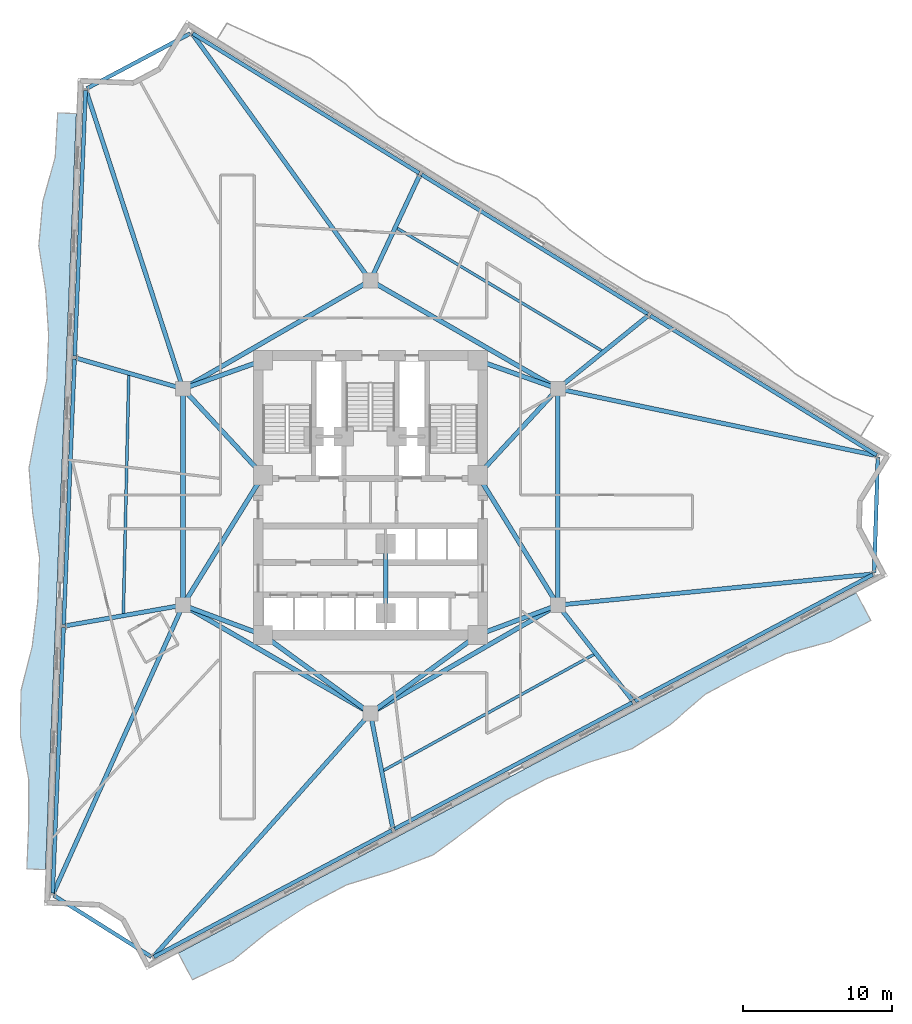
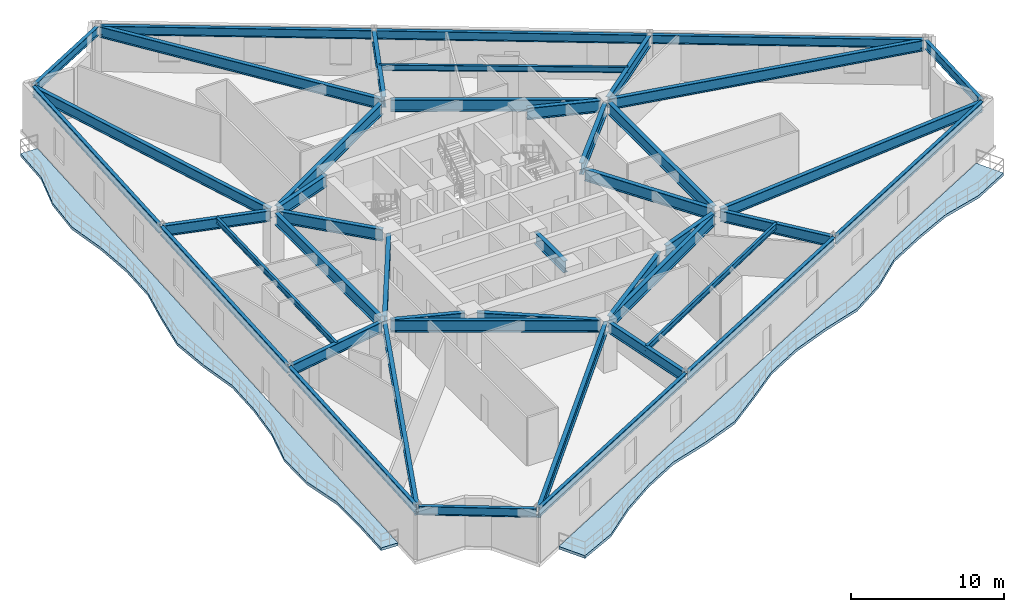
# One storey, part 3 of 12: 44 beams, 2 slabs.
"""IFC4 building model written with IfcOpenShell, lengths in metres."""

from ifc_helpers import new_model, si_unit, direction, frame, origin, origin_2d, place, context, subcontext, project, spatial, polyline, i_section, outline, extrude, material, layer, layer_set, material_profile, profile_set, type_object, element, save


model = new_model("IFC4")

# Units and contexts
model_context = context("Model", 3, precision=1e-05, world=origin(), true_north=direction((0.0, 1.0)))
body_context = subcontext(model_context, "Body", "Model", "MODEL_VIEW")
ifc_project = project(units=[si_unit("LENGTHUNIT", "METRE"), si_unit("AREAUNIT", "SQUARE_METRE"), si_unit("VOLUMEUNIT", "CUBIC_METRE"), si_unit("PLANEANGLEUNIT", "RADIAN"), si_unit("MASSUNIT", "GRAM", prefix="KILO")], contexts=[model_context])

# Site, building, storey
site_placement = place(None, origin())
site = spatial("IfcSite", under=ifc_project, at=site_placement, CompositionType="ELEMENT")
building_placement = place(site_placement, origin())
building = spatial("IfcBuilding", under=site, at=building_placement, Name="Apsidion Concourse Tower", CompositionType="ELEMENT")
storey_placement = place(building_placement, frame((0.0, 0.0, 165.5)))
storey = spatial("IfcBuildingStorey", under=building, at=storey_placement, Name="L38", CompositionType="ELEMENT", Elevation=165.5)

# Beams
ifc_material_1 = material(Name="Structural steel ASTM A992 Grade 50", Category="steel")
ifc_material_profile_1 = material_profile(ifc_material_1, i_section(OverallWidth=0.19091796875, OverallDepth=0.45703125, WebThickness=0.009033203125, FlangeThickness=0.014404296875, at=origin_2d()), Name="W18X50")
ifc_profile_set_1 = profile_set([ifc_material_profile_1], Name="Structural steel ASTM A992 Grade 50")
beam_type_1 = type_object("IfcBeamType", Name="BM-FL-W18", PredefinedType="BEAM", material=ifc_profile_set_1)
beam_1_placement = place(storey_placement, frame((-16.192138671875, 8.29248046875, 3.62158203125), z_axis=(-0.022697860677, -0.999742370374, 0.0), x_axis=(0.999742370374, -0.022697860677, 0.0)))
element("IfcBeam", 1, at=beam_1_placement, inside=storey, type_object=beam_type_1, Name="L38 Secondary Floor Beam SEC-F1", PredefinedType="BEAM", context=body_context, shape_type="SweptSolid", body=[
    extrude(i_section(OverallWidth=0.19091796875, OverallDepth=0.45703125, WebThickness=0.009033203125, FlangeThickness=0.014404296875, at=origin_2d()), origin(), (0.0, 0.0, 1.0), 16.25244140625),
])
beam_2_placement = place(storey_placement, frame((0.760009765625, -18.40087890625, 3.62158203125), z_axis=(0.87560616621, 0.483025715355, 0.0), x_axis=(-0.483025715355, 0.87560616621, 0.0)))
element("IfcBeam", 2, at=beam_2_placement, inside=storey, type_object=beam_type_1, Name="L38 Secondary Floor Beam SEC-F2", PredefinedType="BEAM", context=body_context, shape_type="SweptSolid", body=[
    extrude(i_section(OverallWidth=0.19091796875, OverallDepth=0.45703125, WebThickness=0.009033203125, FlangeThickness=0.014404296875, at=origin_2d()), origin(), (0.0, 0.0, 1.0), 16.376708984375),
])
beam_3_placement = place(storey_placement, frame((15.619384765625, 9.7265625, 3.62158203125), z_axis=(-0.85795243344, 0.513729132865, 0.0), x_axis=(-0.513729132865, -0.85795243344, 0.0)))
element("IfcBeam", 3, at=beam_3_placement, inside=storey, type_object=beam_type_1, Name="L38 Secondary Floor Beam SEC-F3", PredefinedType="BEAM", context=body_context, shape_type="SweptSolid", body=[
    extrude(i_section(OverallWidth=0.19091796875, OverallDepth=0.45703125, WebThickness=0.009033203125, FlangeThickness=0.014404296875, at=origin_2d()), origin(), (0.0, 0.0, 1.0), 16.25537109375),
])
ifc_material_profile_2 = material_profile(ifc_material_1, i_section(OverallWidth=0.2919921875, OverallDepth=0.85888671875, WebThickness=0.01708984375, FlangeThickness=0.031005859375, at=origin_2d()), Name="W33X169")
ifc_profile_set_2 = profile_set([ifc_material_profile_2], Name="Structural steel ASTM A992 Grade 50")
beam_type_2 = type_object("IfcBeamType", Name="BM-G-W33", PredefinedType="USERDEFINED", material=ifc_profile_set_2)
beam_4_placement = place(storey_placement, frame((-12.6279296875, 7.459228515625, 3.42041015625), z_axis=(-0.309075984528, 0.95103734721, 0.0), x_axis=(-0.95103734721, -0.309075984528, 0.0)))
element("IfcBeam", 4, at=beam_4_placement, inside=storey, type_object=beam_type_2, Name="L38 Radial Floor Girder RAD-01", ObjectType="GIRDER", PredefinedType="USERDEFINED", context=body_context, shape_type="SweptSolid", body=[
    extrude(i_section(OverallWidth=0.2919921875, OverallDepth=0.85888671875, WebThickness=0.01708984375, FlangeThickness=0.031005859375, at=origin_2d()), origin(), (0.0, 0.0, 1.0), 20.794921875),
])
beam_5_placement = place(storey_placement, frame((-12.771484375, 7.310791015625, 3.42041015625), z_axis=(-0.961194838859, 0.275870407531, 0.0), x_axis=(-0.275870407531, -0.961194838859, 0.0)))
element("IfcBeam", 5, at=beam_5_placement, inside=storey, type_object=beam_type_2, Name="L38 Radial Floor Girder RAD-02", ObjectType="GIRDER", PredefinedType="USERDEFINED", context=body_context, shape_type="SweptSolid", body=[
    extrude(i_section(OverallWidth=0.2919921875, OverallDepth=0.85888671875, WebThickness=0.01708984375, FlangeThickness=0.031005859375, at=origin_2d()), origin(), (0.0, 0.0, 1.0), 7.2373046875),
])
beam_6_placement = place(storey_placement, frame((-12.776611328125, -7.2880859375, 3.42041015625), z_axis=(-0.9848005578, -0.173688978798, 0.0), x_axis=(0.173688978798, -0.9848005578, 0.0)))
element("IfcBeam", 6, at=beam_6_placement, inside=storey, type_object=beam_type_2, Name="L38 Radial Floor Girder RAD-03", ObjectType="GIRDER", PredefinedType="USERDEFINED", context=body_context, shape_type="SweptSolid", body=[
    extrude(i_section(OverallWidth=0.2919921875, OverallDepth=0.85888671875, WebThickness=0.01708984375, FlangeThickness=0.031005859375, at=origin_2d()), origin(), (0.0, 0.0, 1.0), 7.805419921875),
])
beam_7_placement = place(storey_placement, frame((-12.650390625, -7.45068359375, 3.42041015625), z_axis=(-0.410615485001, -0.911808600243, 0.0), x_axis=(0.911808600243, -0.410615485001, 0.0)))
element("IfcBeam", 7, at=beam_7_placement, inside=storey, type_object=beam_type_2, Name="L38 Radial Floor Girder RAD-04", ObjectType="GIRDER", PredefinedType="USERDEFINED", context=body_context, shape_type="SweptSolid", body=[
    extrude(i_section(OverallWidth=0.2919921875, OverallDepth=0.85888671875, WebThickness=0.01708984375, FlangeThickness=0.031005859375, at=origin_2d()), origin(), (0.0, 0.0, 1.0), 20.964599609375),
])
beam_8_placement = place(storey_placement, frame((-0.146484375, -14.664306640625, 3.42041015625), z_axis=(-0.665534428073, -0.746367151642, 0.0), x_axis=(0.746367151642, -0.665534428073, 0.0)))
element("IfcBeam", 8, at=beam_8_placement, inside=storey, type_object=beam_type_2, Name="L38 Radial Floor Girder RAD-05", ObjectType="GIRDER", PredefinedType="USERDEFINED", context=body_context, shape_type="SweptSolid", body=[
    extrude(i_section(OverallWidth=0.2919921875, OverallDepth=0.85888671875, WebThickness=0.01708984375, FlangeThickness=0.031005859375, at=origin_2d()), origin(), (0.0, 0.0, 1.0), 21.616455078125),
])
beam_9_placement = place(storey_placement, frame((0.0419921875, -14.7158203125, 3.42041015625), z_axis=(0.191214845848, -0.981548207032, 0.0), x_axis=(0.981548207032, 0.191214845848, 0.0)))
element("IfcBeam", 9, at=beam_9_placement, inside=storey, type_object=beam_type_2, Name="L38 Radial Floor Girder RAD-06", ObjectType="GIRDER", PredefinedType="USERDEFINED", context=body_context, shape_type="SweptSolid", body=[
    extrude(i_section(OverallWidth=0.2919921875, OverallDepth=0.85888671875, WebThickness=0.01708984375, FlangeThickness=0.031005859375, at=origin_2d()), origin(), (0.0, 0.0, 1.0), 7.62890625),
])
beam_10_placement = place(storey_placement, frame((12.69580078125, -7.423095703125, 3.42041015625), z_axis=(0.616838796002, -0.787089511902, 0.0), x_axis=(0.787089511902, 0.616838796002, 0.0)))
element("IfcBeam", 10, at=beam_10_placement, inside=storey, type_object=beam_type_2, Name="L38 Radial Floor Girder RAD-07", ObjectType="GIRDER", PredefinedType="USERDEFINED", context=body_context, shape_type="SweptSolid", body=[
    extrude(i_section(OverallWidth=0.2919921875, OverallDepth=0.85888671875, WebThickness=0.01708984375, FlangeThickness=0.031005859375, at=origin_2d()), origin(), (0.0, 0.0, 1.0), 7.914306640625),
])
beam_11_placement = place(storey_placement, frame((12.77880859375, -7.228515625, 3.42041015625), z_axis=(0.995176296258, 0.098102698054, 0.0), x_axis=(-0.098102698054, 0.995176296258, 0.0)))
element("IfcBeam", 11, at=beam_11_placement, inside=storey, type_object=beam_type_2, Name="L38 Radial Floor Girder RAD-08", ObjectType="GIRDER", PredefinedType="USERDEFINED", context=body_context, shape_type="SweptSolid", body=[
    extrude(i_section(OverallWidth=0.2919921875, OverallDepth=0.85888671875, WebThickness=0.01708984375, FlangeThickness=0.031005859375, at=origin_2d()), origin(), (0.0, 0.0, 1.0), 20.981689453125),
])
beam_12_placement = place(storey_placement, frame((12.775390625, 7.204833984375, 3.42041015625), z_axis=(0.978712115689, -0.20523789758, 0.0), x_axis=(0.20523789758, 0.978712115689, 0.0)))
element("IfcBeam", 12, at=beam_12_placement, inside=storey, type_object=beam_type_2, Name="L38 Radial Floor Girder RAD-09", ObjectType="GIRDER", PredefinedType="USERDEFINED", context=body_context, shape_type="SweptSolid", body=[
    extrude(i_section(OverallWidth=0.2919921875, OverallDepth=0.85888671875, WebThickness=0.01708984375, FlangeThickness=0.031005859375, at=origin_2d()), origin(), (0.0, 0.0, 1.0), 21.597412109375),
])
beam_13_placement = place(storey_placement, frame((12.73095703125, 7.388427734375, 3.42041015625), z_axis=(0.777235083984, 0.629210317958, 0.0), x_axis=(-0.629210317958, 0.777235083984, 0.0)))
element("IfcBeam", 13, at=beam_13_placement, inside=storey, type_object=beam_type_2, Name="L38 Radial Floor Girder RAD-10", ObjectType="GIRDER", PredefinedType="USERDEFINED", context=body_context, shape_type="SweptSolid", body=[
    extrude(i_section(OverallWidth=0.2919921875, OverallDepth=0.85888671875, WebThickness=0.01708984375, FlangeThickness=0.031005859375, at=origin_2d()), origin(), (0.0, 0.0, 1.0), 7.55224609375),
])
beam_14_placement = place(storey_placement, frame((0.09326171875, 14.69921875, 3.42041015625), z_axis=(0.423634804892, 0.905833070761, 0.0), x_axis=(-0.905833070761, 0.423634804892, 0.0)))
element("IfcBeam", 14, at=beam_14_placement, inside=storey, type_object=beam_type_2, Name="L38 Radial Floor Girder RAD-11", ObjectType="GIRDER", PredefinedType="USERDEFINED", context=body_context, shape_type="SweptSolid", body=[
    extrude(i_section(OverallWidth=0.2919921875, OverallDepth=0.85888671875, WebThickness=0.01708984375, FlangeThickness=0.031005859375, at=origin_2d()), origin(), (0.0, 0.0, 1.0), 7.578857421875),
])
beam_15_placement = place(storey_placement, frame((-0.12890625, 14.678466796875, 3.42041015625), z_axis=(-0.58524513155, 0.810856421321, 0.0), x_axis=(-0.810856421321, -0.58524513155, 0.0)))
element("IfcBeam", 15, at=beam_15_placement, inside=storey, type_object=beam_type_2, Name="L38 Radial Floor Girder RAD-12", ObjectType="GIRDER", PredefinedType="USERDEFINED", context=body_context, shape_type="SweptSolid", body=[
    extrude(i_section(OverallWidth=0.2919921875, OverallDepth=0.85888671875, WebThickness=0.01708984375, FlangeThickness=0.031005859375, at=origin_2d()), origin(), (0.0, 0.0, 1.0), 20.16015625),
])
ifc_material_profile_3 = material_profile(ifc_material_1, i_section(OverallWidth=0.31005859375, OverallDepth=0.931884765625, WebThickness=0.02099609375, FlangeThickness=0.034423828125, at=origin_2d()), Name="W36X210")
ifc_profile_set_3 = profile_set([ifc_material_profile_3], Name="Structural steel ASTM A992 Grade 50")
beam_type_3 = type_object("IfcBeamType", Name="BM-G-W36", PredefinedType="USERDEFINED", material=ifc_profile_set_3)
beam_16_placement = place(storey_placement, frame((-12.185302734375, -7.389892578125, 3.384033203125), z_axis=(0.936913021145, -0.349562570664, 0.0), x_axis=(0.349562570664, 0.936913021145, 0.0)))
element("IfcBeam", 16, at=beam_16_placement, inside=storey, type_object=beam_type_3, Name="L38 Core Coupling Girder IC1-SC1", ObjectType="GIRDER", PredefinedType="USERDEFINED", context=body_context, shape_type="SweptSolid", body=[
    extrude(i_section(OverallWidth=0.31005859375, OverallDepth=0.931884765625, WebThickness=0.02099609375, FlangeThickness=0.034423828125, at=origin_2d()), origin(), (0.0, 0.0, 1.0), 4.921142578125),
])
beam_17_placement = place(storey_placement, frame((-12.35009765625, -6.909423828125, 3.384033203125), z_axis=(0.524524009763, 0.851395656074, 0.0), x_axis=(-0.851395656074, 0.524524009763, 0.0)))
element("IfcBeam", 17, at=beam_17_placement, inside=storey, type_object=beam_type_3, Name="L38 Core Coupling Girder IC1-SC6", ObjectType="GIRDER", PredefinedType="USERDEFINED", context=body_context, shape_type="SweptSolid", body=[
    extrude(i_section(OverallWidth=0.31005859375, OverallDepth=0.931884765625, WebThickness=0.02099609375, FlangeThickness=0.034423828125, at=origin_2d()), origin(), (0.0, 0.0, 1.0), 9.41845703125),
])
beam_18_placement = place(storey_placement, frame((12.185302734375, -7.389892578125, 3.384033203125), z_axis=(-0.936913021145, -0.349562570664, 0.0), x_axis=(0.349562570664, -0.936913021145, 0.0)))
element("IfcBeam", 18, at=beam_18_placement, inside=storey, type_object=beam_type_3, Name="L38 Core Coupling Girder IC2-SC2", ObjectType="GIRDER", PredefinedType="USERDEFINED", context=body_context, shape_type="SweptSolid", body=[
    extrude(i_section(OverallWidth=0.31005859375, OverallDepth=0.931884765625, WebThickness=0.02099609375, FlangeThickness=0.034423828125, at=origin_2d()), origin(), (0.0, 0.0, 1.0), 4.921142578125),
])
beam_19_placement = place(storey_placement, frame((12.35009765625, -6.909423828125, 3.384033203125), z_axis=(-0.524524009763, 0.851395656074, 0.0), x_axis=(-0.851395656074, -0.524524009763, 0.0)))
element("IfcBeam", 19, at=beam_19_placement, inside=storey, type_object=beam_type_3, Name="L38 Core Coupling Girder IC2-SC3", ObjectType="GIRDER", PredefinedType="USERDEFINED", context=body_context, shape_type="SweptSolid", body=[
    extrude(i_section(OverallWidth=0.31005859375, OverallDepth=0.931884765625, WebThickness=0.02099609375, FlangeThickness=0.034423828125, at=origin_2d()), origin(), (0.0, 0.0, 1.0), 9.41845703125),
])
beam_20_placement = place(storey_placement, frame((12.28857421875, 6.956298828125, 3.384033203125), z_axis=(-0.678712876106, -0.73440372535, 0.0), x_axis=(0.73440372535, -0.678712876106, 0.0)))
element("IfcBeam", 20, at=beam_20_placement, inside=storey, type_object=beam_type_3, Name="L38 Core Coupling Girder IC3-SC3", ObjectType="GIRDER", PredefinedType="USERDEFINED", context=body_context, shape_type="SweptSolid", body=[
    extrude(i_section(OverallWidth=0.31005859375, OverallDepth=0.931884765625, WebThickness=0.02099609375, FlangeThickness=0.034423828125, at=origin_2d()), origin(), (0.0, 0.0, 1.0), 7.097412109375),
])
beam_21_placement = place(storey_placement, frame((12.18310546875, 7.383544921875, 3.384033203125), z_axis=(-0.942533844539, 0.334110688094, 0.0), x_axis=(-0.334110688094, -0.942533844539, 0.0)))
element("IfcBeam", 21, at=beam_21_placement, inside=storey, type_object=beam_type_3, Name="L38 Core Coupling Girder IC3-SC4", ObjectType="GIRDER", PredefinedType="USERDEFINED", context=body_context, shape_type="SweptSolid", body=[
    extrude(i_section(OverallWidth=0.31005859375, OverallDepth=0.931884765625, WebThickness=0.02099609375, FlangeThickness=0.034423828125, at=origin_2d()), origin(), (0.0, 0.0, 1.0), 4.886962890625),
])
beam_22_placement = place(storey_placement, frame((-12.28857421875, 6.956298828125, 3.384033203125), z_axis=(0.678712876106, -0.73440372535, 0.0), x_axis=(0.73440372535, 0.678712876106, 0.0)))
element("IfcBeam", 22, at=beam_22_placement, inside=storey, type_object=beam_type_3, Name="L38 Core Coupling Girder IC5-SC6", ObjectType="GIRDER", PredefinedType="USERDEFINED", context=body_context, shape_type="SweptSolid", body=[
    extrude(i_section(OverallWidth=0.31005859375, OverallDepth=0.931884765625, WebThickness=0.02099609375, FlangeThickness=0.034423828125, at=origin_2d()), origin(), (0.0, 0.0, 1.0), 7.097412109375),
])
beam_23_placement = place(storey_placement, frame((-12.18310546875, 7.383544921875, 3.384033203125), z_axis=(0.942533844539, 0.334110688094, 0.0), x_axis=(-0.334110688094, 0.942533844539, 0.0)))
element("IfcBeam", 23, at=beam_23_placement, inside=storey, type_object=beam_type_3, Name="L38 Core Coupling Girder IC5-SC5", ObjectType="GIRDER", PredefinedType="USERDEFINED", context=body_context, shape_type="SweptSolid", body=[
    extrude(i_section(OverallWidth=0.31005859375, OverallDepth=0.931884765625, WebThickness=0.02099609375, FlangeThickness=0.034423828125, at=origin_2d()), origin(), (0.0, 0.0, 1.0), 4.886962890625),
])
for number, where, z_axis, x_axis, name in (
    (24, (-0.3232421875, -14.264404296875, 3.384033203125), (-0.807993498909, 0.589191399905, 0.0), (-0.589191399905, -0.807993498909, 0.0), "L38 Core Coupling Girder IC6-SC1"),
    (25, (0.3232421875, -14.264404296875, 3.384033203125), (0.807993498909, 0.589191399905, 0.0), (-0.589191399905, 0.807993498909, 0.0), "L38 Core Coupling Girder IC6-SC2"),
):
    element("IfcBeam", number, at=place(storey_placement, frame(where, z_axis=z_axis, x_axis=x_axis)), inside=storey, type_object=beam_type_3, Name=name, ObjectType="GIRDER", PredefinedType="USERDEFINED", context=body_context, shape_type="SweptSolid", body=[
        extrude(i_section(OverallWidth=0.31005859375, OverallDepth=0.931884765625, WebThickness=0.02099609375, FlangeThickness=0.034423828125, at=origin_2d()), origin(), (0.0, 0.0, 1.0), 8.11083984375),
    ])
beam_24_placement = place(storey_placement, frame((-12.56005859375, -6.85009765625, 3.384033203125), z_axis=(0.0, 1.0, 0.0), x_axis=(-1.0, 0.0, 0.0)))
element("IfcBeam", 26, at=beam_24_placement, inside=storey, type_object=beam_type_3, Name="L38 Core Coupling Girder IC1-IC5", ObjectType="GIRDER", PredefinedType="USERDEFINED", context=body_context, shape_type="SweptSolid", body=[
    extrude(i_section(OverallWidth=0.31005859375, OverallDepth=0.931884765625, WebThickness=0.02099609375, FlangeThickness=0.034423828125, at=origin_2d()), origin(), (0.0, 0.0, 1.0), 13.7001953125),
])
for number, where, z_axis, x_axis, name in (
    (27, (-12.213623046875, 7.449951171875, 3.384033203125), (0.866070471464, 0.499921932364, 0.0), (-0.499921932364, 0.866070471464, 0.0), "L38 Core Coupling Girder IC5-IC4"),
    (28, (0.346435546875, 14.300048828125, 3.384033203125), (0.866070471464, -0.499921932364, 0.0), (0.499921932364, 0.866070471464, 0.0), "L38 Core Coupling Girder IC4-IC3"),
):
    element("IfcBeam", number, at=place(storey_placement, frame(where, z_axis=z_axis, x_axis=x_axis)), inside=storey, type_object=beam_type_3, Name=name, ObjectType="GIRDER", PredefinedType="USERDEFINED", context=body_context, shape_type="SweptSolid", body=[
        extrude(i_section(OverallWidth=0.31005859375, OverallDepth=0.931884765625, WebThickness=0.02099609375, FlangeThickness=0.034423828125, at=origin_2d()), origin(), (0.0, 0.0, 1.0), 13.702392578125),
    ])
beam_25_placement = place(storey_placement, frame((12.56005859375, 6.85009765625, 3.384033203125), z_axis=(0.0, -1.0, 0.0), x_axis=(1.0, 0.0, 0.0)))
element("IfcBeam", 29, at=beam_25_placement, inside=storey, type_object=beam_type_3, Name="L38 Core Coupling Girder IC3-IC2", ObjectType="GIRDER", PredefinedType="USERDEFINED", context=body_context, shape_type="SweptSolid", body=[
    extrude(i_section(OverallWidth=0.31005859375, OverallDepth=0.931884765625, WebThickness=0.02099609375, FlangeThickness=0.034423828125, at=origin_2d()), origin(), (0.0, 0.0, 1.0), 13.7001953125),
])
for number, where, z_axis, x_axis, name in (
    (30, (12.213623046875, -7.449951171875, 3.384033203125), (-0.866070471464, -0.499921932364, 0.0), (0.499921932364, -0.866070471464, 0.0), "L38 Core Coupling Girder IC2-IC6"),
    (31, (-0.346435546875, -14.300048828125, 3.384033203125), (-0.866070471464, 0.499921932364, 0.0), (-0.499921932364, -0.866070471464, 0.0), "L38 Core Coupling Girder IC6-IC1"),
):
    element("IfcBeam", number, at=place(storey_placement, frame(where, z_axis=z_axis, x_axis=x_axis)), inside=storey, type_object=beam_type_3, Name=name, ObjectType="GIRDER", PredefinedType="USERDEFINED", context=body_context, shape_type="SweptSolid", body=[
        extrude(i_section(OverallWidth=0.31005859375, OverallDepth=0.931884765625, WebThickness=0.02099609375, FlangeThickness=0.034423828125, at=origin_2d()), origin(), (0.0, 0.0, 1.0), 13.702392578125),
    ])
beam_26_placement = place(storey_placement, frame((1.02490234375, -3.550048828125, 3.384033203125), z_axis=(0.0, -1.0, 0.0), x_axis=(1.0, 0.0, 0.0)))
element("IfcBeam", 32, at=beam_26_placement, inside=storey, type_object=beam_type_3, Name="L38 Core Coupling Girder CC5-CC6", ObjectType="GIRDER", PredefinedType="USERDEFINED", context=body_context, shape_type="SweptSolid", body=[
    extrude(i_section(OverallWidth=0.31005859375, OverallDepth=0.931884765625, WebThickness=0.02099609375, FlangeThickness=0.034423828125, at=origin_2d()), origin(), (0.0, 0.0, 1.0), 3.849853515625),
])
ifc_material_profile_4 = material_profile(ifc_material_1, i_section(OverallWidth=0.256103515625, OverallDepth=0.693115234375, WebThickness=0.014404296875, FlangeThickness=0.023681640625, at=origin_2d()), Name="W27X114")
ifc_profile_set_4 = profile_set([ifc_material_profile_4], Name="Structural steel ASTM A992 Grade 50")
beam_type_4 = type_object("IfcBeamType", Name="BM-SP-W27", PredefinedType="SPANDREL", material=ifc_profile_set_4)
beam_27_placement = place(storey_placement, frame((-19.090087890625, 27.2314453125, 3.50341796875), z_axis=(-0.040983440282, -0.999159825865, 0.0), x_axis=(0.999159825865, -0.040983440282, 0.0)))
element("IfcBeam", 33, at=beam_27_placement, inside=storey, type_object=beam_type_4, Name="L38 Perimeter Spandrel Girder SP-01", PredefinedType="SPANDREL", context=body_context, shape_type="SweptSolid", body=[
    extrude(i_section(OverallWidth=0.256103515625, OverallDepth=0.693115234375, WebThickness=0.014404296875, FlangeThickness=0.023681640625, at=origin_2d()), origin(), (0.0, 0.0, 1.0), 17.8115234375),
])
for number, where, z_axis, x_axis, name in (
    (34, (-19.828125, 9.235107421875, 3.50341796875), (-0.040970317559, -0.999160364045, 0.0), (0.999160364045, -0.040970317559, 0.0), "L38 Perimeter Spandrel Girder SP-02"),
    (35, (-20.566162109375, -8.76123046875, 3.50341796875), (-0.040970317559, -0.999160364045, 0.0), (0.999160364045, -0.040970317559, 0.0), "L38 Perimeter Spandrel Girder SP-03"),
):
    element("IfcBeam", number, at=place(storey_placement, frame(where, z_axis=z_axis, x_axis=x_axis)), inside=storey, type_object=beam_type_4, Name=name, PredefinedType="SPANDREL", context=body_context, shape_type="SweptSolid", body=[
        extrude(i_section(OverallWidth=0.256103515625, OverallDepth=0.693115234375, WebThickness=0.014404296875, FlangeThickness=0.023681640625, at=origin_2d()), origin(), (0.0, 0.0, 1.0), 17.811279296875),
    ])
beam_28_placement = place(storey_placement, frame((-21.21533203125, -26.710693359375, 3.50341796875), z_axis=(0.846430391353, -0.532499382718, 0.0), x_axis=(0.532499382718, 0.846430391353, 0.0)))
element("IfcBeam", 36, at=beam_28_placement, inside=storey, type_object=beam_type_4, Name="L38 Perimeter Spandrel Girder SP-04", PredefinedType="SPANDREL", context=body_context, shape_type="SweptSolid", body=[
    extrude(i_section(OverallWidth=0.256103515625, OverallDepth=0.693115234375, WebThickness=0.014404296875, FlangeThickness=0.023681640625, at=origin_2d()), origin(), (0.0, 0.0, 1.0), 7.71630859375),
])
beam_29_placement = place(storey_placement, frame((-14.51123046875, -30.825927734375, 3.50341796875), z_axis=(0.882942871348, 0.46948044255, 0.0), x_axis=(-0.46948044255, 0.882942871348, 0.0)))
element("IfcBeam", 37, at=beam_29_placement, inside=storey, type_object=beam_type_4, Name="L38 Perimeter Spandrel Girder SP-05", PredefinedType="SPANDREL", context=body_context, shape_type="SweptSolid", body=[
    extrude(i_section(OverallWidth=0.256103515625, OverallDepth=0.693115234375, WebThickness=0.014404296875, FlangeThickness=0.023681640625, at=origin_2d()), origin(), (0.0, 0.0, 1.0), 18.05615234375),
])
for number, where, z_axis, x_axis, name in (
    (38, (1.608154296875, -22.255126953125, 3.50341796875), (0.88294585151, 0.469474837771, 0.0), (-0.469474837771, 0.88294585151, 0.0), "L38 Perimeter Spandrel Girder SP-06"),
    (39, (17.7275390625, -13.68408203125, 3.50341796875), (0.882951456204, 0.469464296819, 0.0), (-0.469464296819, 0.882951456204, 0.0), "L38 Perimeter Spandrel Girder SP-07"),
):
    element("IfcBeam", number, at=place(storey_placement, frame(where, z_axis=z_axis, x_axis=x_axis)), inside=storey, type_object=beam_type_4, Name=name, PredefinedType="SPANDREL", context=body_context, shape_type="SweptSolid", body=[
        extrude(i_section(OverallWidth=0.256103515625, OverallDepth=0.693115234375, WebThickness=0.014404296875, FlangeThickness=0.023681640625, at=origin_2d()), origin(), (0.0, 0.0, 1.0), 18.056396484375),
    ])
beam_30_placement = place(storey_placement, frame((33.761962890625, -5.060302734375, 3.50341796875), z_axis=(0.031862000175, 0.999492277581, 0.0), x_axis=(-0.999492277581, 0.031862000175, 0.0)))
element("IfcBeam", 40, at=beam_30_placement, inside=storey, type_object=beam_type_4, Name="L38 Perimeter Spandrel Girder SP-08", PredefinedType="SPANDREL", context=body_context, shape_type="SweptSolid", body=[
    extrude(i_section(OverallWidth=0.256103515625, OverallDepth=0.693115234375, WebThickness=0.014404296875, FlangeThickness=0.023681640625, at=origin_2d()), origin(), (0.0, 0.0, 1.0), 7.716064453125),
])
for number, where, z_axis, x_axis, name in (
    (41, (33.92578125, 2.80419921875, 3.50341796875), (-0.851253326815, 0.524754965281, 0.0), (-0.524754965281, -0.851253326815, 0.0), "L38 Perimeter Spandrel Girder SP-09"),
    (42, (18.593505859375, 12.255859375, 3.50341796875), (-0.851253326815, 0.524754965281, 0.0), (-0.524754965281, -0.851253326815, 0.0), "L38 Perimeter Spandrel Girder SP-10"),
    (43, (3.26123046875, 21.70751953125, 3.50341796875), (-0.851253326815, 0.524754965281, 0.0), (-0.524754965281, -0.851253326815, 0.0), "L38 Perimeter Spandrel Girder SP-11"),
):
    element("IfcBeam", number, at=place(storey_placement, frame(where, z_axis=z_axis, x_axis=x_axis)), inside=storey, type_object=beam_type_4, Name=name, PredefinedType="SPANDREL", context=body_context, shape_type="SweptSolid", body=[
        extrude(i_section(OverallWidth=0.256103515625, OverallDepth=0.693115234375, WebThickness=0.014404296875, FlangeThickness=0.023681640625, at=origin_2d()), origin(), (0.0, 0.0, 1.0), 17.8115234375),
    ])
beam_31_placement = place(storey_placement, frame((-12.07421875, 31.059814453125, 3.50341796875), z_axis=(-0.882931431511, -0.469501956599, 0.0), x_axis=(0.469501956599, -0.882931431511, 0.0)))
element("IfcBeam", 44, at=beam_31_placement, inside=storey, type_object=beam_type_4, Name="L38 Perimeter Spandrel Girder SP-12", PredefinedType="SPANDREL", context=body_context, shape_type="SweptSolid", body=[
    extrude(i_section(OverallWidth=0.256103515625, OverallDepth=0.693115234375, WebThickness=0.014404296875, FlangeThickness=0.023681640625, at=origin_2d()), origin(), (0.0, 0.0, 1.0), 7.841552734375),
])

# Slabs
ifc_material_2 = material(Name="Concrete C50/60", Category="concrete")
ifc_layer = layer(ifc_material_2, 0.219970703125)
ifc_layer_set = layer_set([ifc_layer], Name="Concrete C50/60")
slab_type = type_object("IfcSlabType", Name="SL-BAL-220", PredefinedType="FLOOR", material=ifc_layer_set)
slab_1_placement = place(storey_placement, frame((0.0, 0.0, -0.219970703125)))
element("IfcSlab", 45, at=slab_1_placement, inside=storey, type_object=slab_type, Name="L38 Face 1 Rippling Balcony Slab", PredefinedType="FLOOR", context=body_context, shape_type="SweptSolid", body=[
    extrude(outline(polyline([(-19.7080078125, 25.690185546875), (-19.82958984375, 22.709716796875), (-19.951416015625, 19.729248046875), (-20.0732421875, 16.748779296875), (-20.19482421875, 13.768310546875), (-20.316650390625, 10.787841796875), (-20.4384765625, 7.807373046875), (-20.56005859375, 4.826904296875), (-20.681884765625, 1.84619140625), (-20.8037109375, -1.13427734375), (-20.92529296875, -4.11474609375), (-21.047119140625, -7.09521484375), (-21.168701171875, -10.07568359375), (-21.29052734375, -13.05615234375), (-21.412109375, -16.03662109375), (-21.533935546875, -19.01708984375), (-21.65576171875, -21.99755859375), (-21.777587890625, -24.97802734375), (-23.0263671875, -24.927001953125), (-22.90478515625, -21.946533203125), (-22.8955078125, -18.96142578125), (-23.461181640625, -15.952880859375), (-23.415283203125, -12.969482421875), (-22.665283203125, -10.014404296875), (-22.2958984375, -7.044189453125), (-22.17431640625, -4.063720703125), (-22.636474609375, -1.059326171875), (-22.879150390625, 1.93603515625), (-22.3291015625, 4.89892578125), (-21.687255859375, 7.8583984375), (-21.565673828125, 10.8388671875), (-21.760986328125, 13.832275390625), (-22.226806640625, 16.836669921875), (-21.953125, 19.81103515625), (-21.125732421875, 22.7626953125), (-20.956787109375, 25.7412109375), (-19.7080078125, 25.690185546875)])), origin(), (0.0, 0.0, 1.0), 0.219970703125),
])
slab_2_placement = place(storey_placement, frame((0.0, 0.0, -0.219970703125)))
element("IfcSlab", 46, at=slab_2_placement, inside=storey, type_object=slab_type, Name="L38 Face 2 Rippling Balcony Slab", PredefinedType="FLOOR", context=body_context, shape_type="SweptSolid", body=[
    extrude(outline(polyline([(-12.8740234375, -30.578369140625), (-10.2021484375, -29.15771484375), (-7.530029296875, -27.73681640625), (-4.858154296875, -26.316162109375), (-2.18603515625, -24.8955078125), (0.48583984375, -23.474609375), (3.15771484375, -22.053955078125), (5.829833984375, -20.63330078125), (8.501708984375, -19.212646484375), (11.173583984375, -17.791748046875), (13.845703125, -16.37109375), (16.517578125, -14.950439453125), (19.189697265625, -13.52978515625), (21.861572265625, -12.10888671875), (24.53369140625, -10.688232421875), (27.20556640625, -9.267578125), (29.877685546875, -7.8466796875), (32.549560546875, -6.426025390625), (33.534423828125, -8.278564453125), (30.853515625, -9.68212890625), (27.861083984375, -10.50048828125), (25.120361328125, -11.7919921875), (22.448486328125, -13.212646484375), (20.10498046875, -15.2509765625), (17.538818359375, -16.87060546875), (14.604736328125, -17.798583984375), (11.760498046875, -18.8955078125), (9.088623046875, -20.316162109375), (6.65380859375, -22.1826171875), (4.190185546875, -23.995361328125), (1.344482421875, -25.08984375), (-1.599365234375, -25.9990234375), (-4.271240234375, -27.419921875), (-6.80859375, -29.093505859375), (-9.193603515625, -31.05419921875), (-11.9306640625, -32.352783203125), (-12.8740234375, -30.578369140625)])), origin(), (0.0, 0.0, 1.0), 0.219970703125),
])

save(model, "model.ifc")
